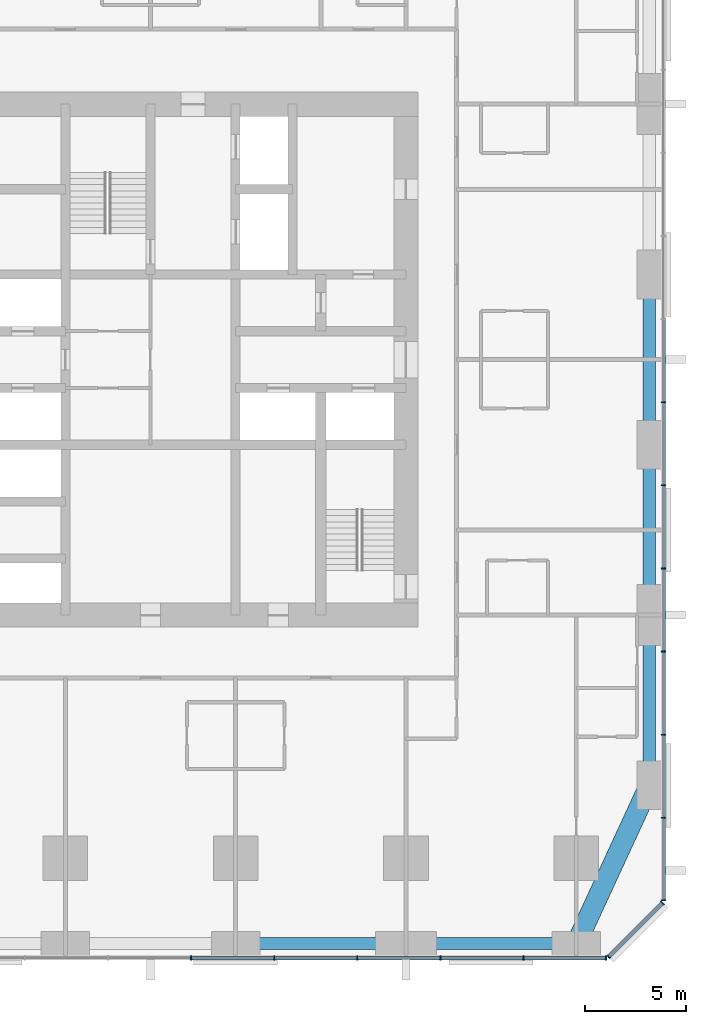
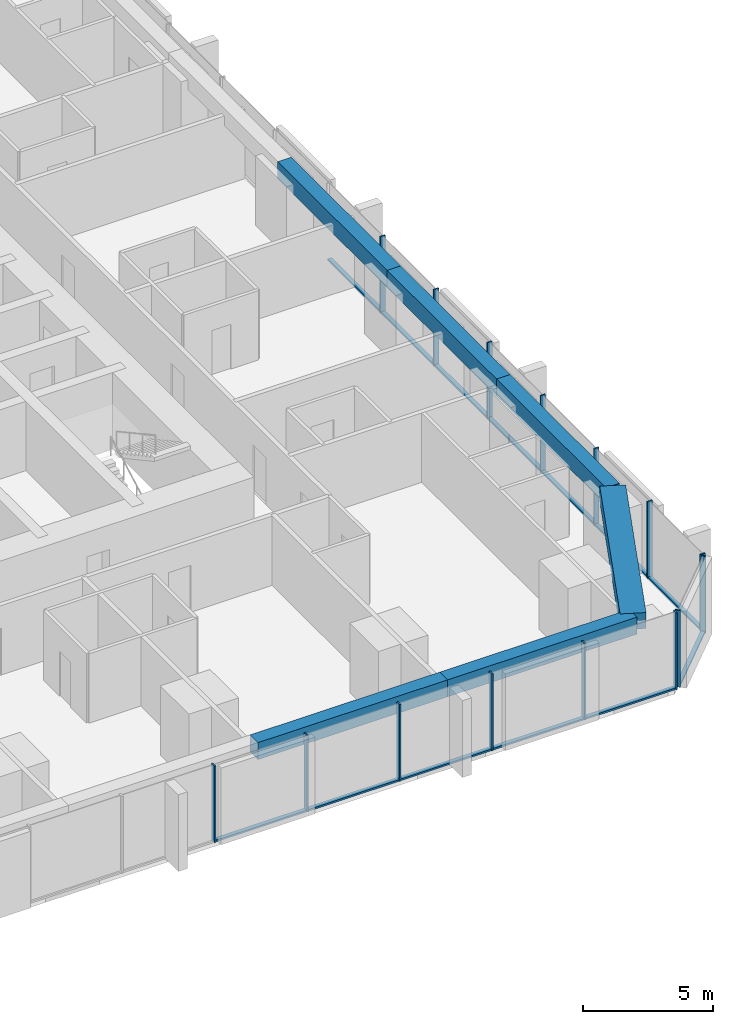
# One storey, part 4 of 13: 28 members, 6 beams, 3 elements without a shape of their own.
"""IFC4 building model written with IfcOpenShell, lengths in metres."""

from ifc_helpers import new_model, si_unit, direction, frame, origin, origin_2d, place, context, subcontext, project, spatial, rectangle, extrude, material, material_profile, profile_set, type_object, element, aggregate, save


model = new_model("IFC4")

# Units and contexts
model_context = context("Model", 3, precision=1e-05, world=origin(), true_north=direction((0.0, 1.0)))
body_context = subcontext(model_context, "Body", "Model", "MODEL_VIEW")
ifc_project = project(units=[si_unit("LENGTHUNIT", "METRE"), si_unit("AREAUNIT", "SQUARE_METRE"), si_unit("VOLUMEUNIT", "CUBIC_METRE"), si_unit("PLANEANGLEUNIT", "RADIAN"), si_unit("MASSUNIT", "GRAM", prefix="KILO")], contexts=[model_context])

# Site, building, storey
site_placement = place(None, origin())
site = spatial("IfcSite", under=ifc_project, at=site_placement, CompositionType="ELEMENT")
building_placement = place(site_placement, origin())
building = spatial("IfcBuilding", under=site, at=building_placement, Name="Dunama Terrace Hotel", CompositionType="ELEMENT")
storey_placement = place(building_placement, frame((0.0, 0.0, 97.199951171875)))
storey = spatial("IfcBuildingStorey", under=building, at=storey_placement, Name="L24", CompositionType="ELEMENT", Elevation=97.199951171875)

# Curtain wall, members
ifc_material_1 = material(Name="Aluminium curtain wall system", Category="aluminium")
curtain_wall_type = type_object("IfcCurtainWallType", Name="Unitised fritted glass wall CW-B", PredefinedType="NOTDEFINED", material=ifc_material_1)
curtain_wall_1_placement = place(storey_placement, origin())
curtain_wall_1 = element("IfcCurtainWall", 1, at=curtain_wall_1_placement, inside=storey, type_object=curtain_wall_type, Name="Unitised fritted glass wall CW-B L24", PredefinedType="NOTDEFINED")
ifc_material_2 = material(Name="Aluminium mullion", Category="aluminium")
ifc_material_profile_1 = material_profile(ifc_material_2, rectangle(XDim=0.06494140625, YDim=0.219970703125, at=origin_2d()), Name="CWB MULLION 65X220")
ifc_profile_set_1 = profile_set([ifc_material_profile_1], Name="Aluminium mullion")
member_type_1 = type_object("IfcMemberType", Name="CWB mullion 65x220", PredefinedType="MULLION", material=ifc_profile_set_1)
member_1_placement = place(storey_placement, frame((31.39990234375, -0.110107421875, 0.0), z_axis=(0.0, 0.0, 1.0), x_axis=(1.0, 0.0, 0.0)))
member_1 = element("IfcMember", 2, at=member_1_placement, type_object=member_type_1, Name="CWB mullion", PredefinedType="MULLION", context=body_context, shape_type="SweptSolid", body=[
    extrude(rectangle(XDim=0.06494140625, YDim=0.219970703125, at=origin_2d()), origin(), (0.0, 0.0, 1.0), 3.60009765625),
])
member_2_placement = place(storey_placement, frame((35.5, -0.110107421875, 0.0), z_axis=(0.0, 0.0, 1.0), x_axis=(1.0, 0.0, 0.0)))
member_2 = element("IfcMember", 3, at=member_2_placement, type_object=member_type_1, Name="CWB mullion", PredefinedType="MULLION", context=body_context, shape_type="SweptSolid", body=[
    extrude(rectangle(XDim=0.06494140625, YDim=0.219970703125, at=origin_2d()), origin(), (0.0, 0.0, 1.0), 3.60009765625),
])
member_3_placement = place(storey_placement, frame((39.60009765625, -0.110107421875, 0.0), z_axis=(0.0, 0.0, 1.0), x_axis=(1.0, 0.0, 0.0)))
member_3 = element("IfcMember", 4, at=member_3_placement, type_object=member_type_1, Name="CWB mullion", PredefinedType="MULLION", context=body_context, shape_type="SweptSolid", body=[
    extrude(rectangle(XDim=0.06494140625, YDim=0.219970703125, at=origin_2d()), origin(), (0.0, 0.0, 1.0), 3.60009765625),
])
member_4_placement = place(storey_placement, frame((43.699951171875, -0.110107421875, 0.0), z_axis=(0.0, 0.0, 1.0), x_axis=(1.0, 0.0, 0.0)))
member_4 = element("IfcMember", 5, at=member_4_placement, type_object=member_type_1, Name="CWB mullion", PredefinedType="MULLION", context=body_context, shape_type="SweptSolid", body=[
    extrude(rectangle(XDim=0.06494140625, YDim=0.219970703125, at=origin_2d()), origin(), (0.0, 0.0, 1.0), 3.60009765625),
])
member_5_placement = place(storey_placement, frame((47.800048828125, -0.110107421875, 0.0), z_axis=(0.0, 0.0, 1.0), x_axis=(1.0, 0.0, 0.0)))
member_5 = element("IfcMember", 6, at=member_5_placement, type_object=member_type_1, Name="CWB mullion", PredefinedType="MULLION", context=body_context, shape_type="SweptSolid", body=[
    extrude(rectangle(XDim=0.06494140625, YDim=0.219970703125, at=origin_2d()), origin(), (0.0, 0.0, 1.0), 3.60009765625),
])
member_6_placement = place(storey_placement, frame((51.866943359375, -0.110107421875, 0.0), z_axis=(0.0, 0.0, 1.0), x_axis=(1.0, 0.0, 0.0)))
member_6 = element("IfcMember", 7, at=member_6_placement, type_object=member_type_1, Name="CWB mullion", PredefinedType="MULLION", context=body_context, shape_type="SweptSolid", body=[
    extrude(rectangle(XDim=0.06494140625, YDim=0.219970703125, at=origin_2d()), origin(), (0.0, 0.0, 1.0), 3.60009765625),
])

curtain_wall_2_placement = place(storey_placement, origin())
curtain_wall_2 = element("IfcCurtainWall", 8, at=curtain_wall_2_placement, inside=storey, type_object=curtain_wall_type, Name="Unitised fritted glass wall CW-B L24", PredefinedType="NOTDEFINED")
member_7_placement = place(storey_placement, frame((52.0009765625, -0.054931640625, 0.0), z_axis=(0.0, 0.0, 1.0), x_axis=(0.707106781187, 0.707106781187, 0.0)))
member_7 = element("IfcMember", 9, at=member_7_placement, type_object=member_type_1, Name="CWB mullion", PredefinedType="MULLION", context=body_context, shape_type="SweptSolid", body=[
    extrude(rectangle(XDim=0.06494140625, YDim=0.219970703125, at=origin_2d()), origin(), (0.0, 0.0, 1.0), 3.60009765625),
])
member_8_placement = place(storey_placement, frame((54.655029296875, 2.59912109375, 0.0), z_axis=(0.0, 0.0, 1.0), x_axis=(0.707106781187, 0.707106781187, 0.0)))
member_8 = element("IfcMember", 10, at=member_8_placement, type_object=member_type_1, Name="CWB mullion", PredefinedType="MULLION", context=body_context, shape_type="SweptSolid", body=[
    extrude(rectangle(XDim=0.06494140625, YDim=0.219970703125, at=origin_2d()), origin(), (0.0, 0.0, 1.0), 3.60009765625),
])

curtain_wall_3_placement = place(storey_placement, origin())
curtain_wall_3 = element("IfcCurtainWall", 11, at=curtain_wall_3_placement, inside=storey, type_object=curtain_wall_type, Name="Unitised fritted glass wall CW-B L24", PredefinedType="NOTDEFINED")
member_9_placement = place(storey_placement, frame((54.7099609375, 2.73291015625, 0.0), z_axis=(0.0, 0.0, 1.0), x_axis=(0.0, 1.0, 0.0)))
member_9 = element("IfcMember", 12, at=member_9_placement, type_object=member_type_1, Name="CWB mullion", PredefinedType="MULLION", context=body_context, shape_type="SweptSolid", body=[
    extrude(rectangle(XDim=0.06494140625, YDim=0.219970703125, at=origin_2d()), origin(), (0.0, 0.0, 1.0), 3.60009765625),
])
member_10_placement = place(storey_placement, frame((54.7099609375, 6.800048828125, 0.0), z_axis=(0.0, 0.0, 1.0), x_axis=(0.0, 1.0, 0.0)))
member_10 = element("IfcMember", 13, at=member_10_placement, type_object=member_type_1, Name="CWB mullion", PredefinedType="MULLION", context=body_context, shape_type="SweptSolid", body=[
    extrude(rectangle(XDim=0.06494140625, YDim=0.219970703125, at=origin_2d()), origin(), (0.0, 0.0, 1.0), 3.60009765625),
])
member_11_placement = place(storey_placement, frame((54.7099609375, 10.89990234375, 0.0), z_axis=(0.0, 0.0, 1.0), x_axis=(0.0, 1.0, 0.0)))
member_11 = element("IfcMember", 14, at=member_11_placement, type_object=member_type_1, Name="CWB mullion", PredefinedType="MULLION", context=body_context, shape_type="SweptSolid", body=[
    extrude(rectangle(XDim=0.06494140625, YDim=0.219970703125, at=origin_2d()), origin(), (0.0, 0.0, 1.0), 3.60009765625),
])
member_12_placement = place(storey_placement, frame((54.7099609375, 15.0, 0.0), z_axis=(0.0, 0.0, 1.0), x_axis=(0.0, 1.0, 0.0)))
member_12 = element("IfcMember", 15, at=member_12_placement, type_object=member_type_1, Name="CWB mullion", PredefinedType="MULLION", context=body_context, shape_type="SweptSolid", body=[
    extrude(rectangle(XDim=0.06494140625, YDim=0.219970703125, at=origin_2d()), origin(), (0.0, 0.0, 1.0), 3.60009765625),
])
member_13_placement = place(storey_placement, frame((54.7099609375, 19.10009765625, 0.0), z_axis=(0.0, 0.0, 1.0), x_axis=(0.0, 1.0, 0.0)))
member_13 = element("IfcMember", 16, at=member_13_placement, type_object=member_type_1, Name="CWB mullion", PredefinedType="MULLION", context=body_context, shape_type="SweptSolid", body=[
    extrude(rectangle(XDim=0.06494140625, YDim=0.219970703125, at=origin_2d()), origin(), (0.0, 0.0, 1.0), 3.60009765625),
])
member_14_placement = place(storey_placement, frame((54.7099609375, 23.199951171875, 0.0), z_axis=(0.0, 0.0, 1.0), x_axis=(0.0, 1.0, 0.0)))
member_14 = element("IfcMember", 17, at=member_14_placement, type_object=member_type_1, Name="CWB mullion", PredefinedType="MULLION", context=body_context, shape_type="SweptSolid", body=[
    extrude(rectangle(XDim=0.06494140625, YDim=0.219970703125, at=origin_2d()), origin(), (0.0, 0.0, 1.0), 3.60009765625),
])
member_15_placement = place(storey_placement, frame((54.7099609375, 27.300048828125, 0.0), z_axis=(0.0, 0.0, 1.0), x_axis=(0.0, 1.0, 0.0)))
member_15 = element("IfcMember", 18, at=member_15_placement, type_object=member_type_1, Name="CWB mullion", PredefinedType="MULLION", context=body_context, shape_type="SweptSolid", body=[
    extrude(rectangle(XDim=0.06494140625, YDim=0.219970703125, at=origin_2d()), origin(), (0.0, 0.0, 1.0), 3.60009765625),
])

# Member
ifc_material_3 = material(Name="Aluminium transom", Category="aluminium")
ifc_material_profile_2 = material_profile(ifc_material_3, rectangle(XDim=0.179931640625, YDim=0.080078125, at=origin_2d()), Name="CWB TRANSOM 180X80")
ifc_profile_set_2 = profile_set([ifc_material_profile_2], Name="Aluminium transom")
member_type_2 = type_object("IfcMemberType", Name="CWB transom 180x80", PredefinedType="USERDEFINED", material=ifc_profile_set_2)
member_16_placement = place(storey_placement, frame((31.431884765625, -0.110107421875, 0.0400390625), z_axis=(1.0, 0.0, 0.0), x_axis=(0.0, 1.0, 0.0)))
member_16 = element("IfcMember", 19, at=member_16_placement, type_object=member_type_2, Name="CWB transom", ObjectType="TRANSOM", PredefinedType="USERDEFINED", context=body_context, shape_type="SweptSolid", body=[
    extrude(rectangle(XDim=0.179931640625, YDim=0.080078125, at=origin_2d()), origin(), (0.0, 0.0, 1.0), 4.0361328125),
])

member_17_placement = place(storey_placement, frame((35.531982421875, -0.110107421875, 0.0400390625), z_axis=(1.0, 0.0, 0.0), x_axis=(0.0, 1.0, 0.0)))
member_17 = element("IfcMember", 20, at=member_17_placement, type_object=member_type_2, Name="CWB transom", ObjectType="TRANSOM", PredefinedType="USERDEFINED", context=body_context, shape_type="SweptSolid", body=[
    extrude(rectangle(XDim=0.179931640625, YDim=0.080078125, at=origin_2d()), origin(), (0.0, 0.0, 1.0), 4.0361328125),
])

member_18_placement = place(storey_placement, frame((39.633056640625, -0.110107421875, 0.0400390625), z_axis=(1.0, 0.0, 0.0), x_axis=(0.0, 1.0, 0.0)))
member_18 = element("IfcMember", 21, at=member_18_placement, type_object=member_type_2, Name="CWB transom", ObjectType="TRANSOM", PredefinedType="USERDEFINED", context=body_context, shape_type="SweptSolid", body=[
    extrude(rectangle(XDim=0.179931640625, YDim=0.080078125, at=origin_2d()), origin(), (0.0, 0.0, 1.0), 4.034912109375),
])

member_19_placement = place(storey_placement, frame((43.73291015625, -0.110107421875, 0.0400390625), z_axis=(1.0, 0.0, 0.0), x_axis=(0.0, 1.0, 0.0)))
member_19 = element("IfcMember", 22, at=member_19_placement, type_object=member_type_2, Name="CWB transom", ObjectType="TRANSOM", PredefinedType="USERDEFINED", context=body_context, shape_type="SweptSolid", body=[
    extrude(rectangle(XDim=0.179931640625, YDim=0.080078125, at=origin_2d()), origin(), (0.0, 0.0, 1.0), 4.0341796875),
])

member_20_placement = place(storey_placement, frame((47.83203125, -0.110107421875, 0.0400390625), z_axis=(1.0, 0.0, 0.0), x_axis=(0.0, 1.0, 0.0)))
member_20 = element("IfcMember", 23, at=member_20_placement, type_object=member_type_2, Name="CWB transom", ObjectType="TRANSOM", PredefinedType="USERDEFINED", context=body_context, shape_type="SweptSolid", body=[
    extrude(rectangle(XDim=0.179931640625, YDim=0.080078125, at=origin_2d()), origin(), (0.0, 0.0, 1.0), 4.0029296875),
])

aggregate(curtain_wall_1, [member_1, member_2, member_3, member_4, member_5, member_6, member_16, member_17, member_18, member_19, member_20])

member_21_placement = place(storey_placement, frame((52.02392578125, -0.031982421875, 0.0400390625), z_axis=(0.707139876915, 0.707073683909, 0.0), x_axis=(-0.707073683909, 0.707139876915, 0.0)))
member_21 = element("IfcMember", 24, at=member_21_placement, type_object=member_type_2, Name="CWB transom", ObjectType="TRANSOM", PredefinedType="USERDEFINED", context=body_context, shape_type="SweptSolid", body=[
    extrude(rectangle(XDim=0.179931640625, YDim=0.080078125, at=origin_2d()), origin(), (0.0, 0.0, 1.0), 3.688232421875),
])

aggregate(curtain_wall_2, [member_7, member_8, member_21])

member_22_placement = place(storey_placement, frame((54.7099609375, 2.764892578125, 0.0400390625), z_axis=(0.0, 1.0, 0.0), x_axis=(-1.0, 0.0, 0.0)))
member_22 = element("IfcMember", 25, at=member_22_placement, type_object=member_type_2, Name="CWB transom", ObjectType="TRANSOM", PredefinedType="USERDEFINED", context=body_context, shape_type="SweptSolid", body=[
    extrude(rectangle(XDim=0.179931640625, YDim=0.080078125, at=origin_2d()), origin(), (0.0, 0.0, 1.0), 4.003173828125),
])

member_23_placement = place(storey_placement, frame((54.7099609375, 6.83203125, 0.0400390625), z_axis=(0.0, 1.0, 0.0), x_axis=(-1.0, 0.0, 0.0)))
member_23 = element("IfcMember", 26, at=member_23_placement, type_object=member_type_2, Name="CWB transom", ObjectType="TRANSOM", PredefinedType="USERDEFINED", context=body_context, shape_type="SweptSolid", body=[
    extrude(rectangle(XDim=0.179931640625, YDim=0.080078125, at=origin_2d()), origin(), (0.0, 0.0, 1.0), 4.034912109375),
])

member_24_placement = place(storey_placement, frame((54.7099609375, 10.93310546875, 0.0400390625), z_axis=(0.0, 1.0, 0.0), x_axis=(-1.0, 0.0, 0.0)))
member_24 = element("IfcMember", 27, at=member_24_placement, type_object=member_type_2, Name="CWB transom", ObjectType="TRANSOM", PredefinedType="USERDEFINED", context=body_context, shape_type="SweptSolid", body=[
    extrude(rectangle(XDim=0.179931640625, YDim=0.080078125, at=origin_2d()), origin(), (0.0, 0.0, 1.0), 4.033935546875),
])

member_25_placement = place(storey_placement, frame((54.7099609375, 15.031982421875, 0.0400390625), z_axis=(0.0, 1.0, 0.0), x_axis=(-1.0, 0.0, 0.0)))
member_25 = element("IfcMember", 28, at=member_25_placement, type_object=member_type_2, Name="CWB transom", ObjectType="TRANSOM", PredefinedType="USERDEFINED", context=body_context, shape_type="SweptSolid", body=[
    extrude(rectangle(XDim=0.179931640625, YDim=0.080078125, at=origin_2d()), origin(), (0.0, 0.0, 1.0), 4.034912109375),
])

member_26_placement = place(storey_placement, frame((54.7099609375, 19.132080078125, 0.0400390625), z_axis=(0.0, 1.0, 0.0), x_axis=(-1.0, 0.0, 0.0)))
member_26 = element("IfcMember", 29, at=member_26_placement, type_object=member_type_2, Name="CWB transom", ObjectType="TRANSOM", PredefinedType="USERDEFINED", context=body_context, shape_type="SweptSolid", body=[
    extrude(rectangle(XDim=0.179931640625, YDim=0.080078125, at=origin_2d()), origin(), (0.0, 0.0, 1.0), 4.035888671875),
])

member_27_placement = place(storey_placement, frame((54.7099609375, 23.23193359375, 0.0400390625), z_axis=(0.0, 1.0, 0.0), x_axis=(-1.0, 0.0, 0.0)))
member_27 = element("IfcMember", 30, at=member_27_placement, type_object=member_type_2, Name="CWB transom", ObjectType="TRANSOM", PredefinedType="USERDEFINED", context=body_context, shape_type="SweptSolid", body=[
    extrude(rectangle(XDim=0.179931640625, YDim=0.080078125, at=origin_2d()), origin(), (0.0, 0.0, 1.0), 4.03515625),
])

member_28_placement = place(storey_placement, frame((54.7099609375, 27.33203125, 0.0400390625), z_axis=(0.0, 1.0, 0.0), x_axis=(-1.0, 0.0, 0.0)))
member_28 = element("IfcMember", 31, at=member_28_placement, type_object=member_type_2, Name="CWB transom", ObjectType="TRANSOM", PredefinedType="USERDEFINED", context=body_context, shape_type="SweptSolid", body=[
    extrude(rectangle(XDim=0.179931640625, YDim=0.080078125, at=origin_2d()), origin(), (0.0, 0.0, 1.0), 4.034912109375),
])

aggregate(curtain_wall_3, [member_9, member_10, member_11, member_12, member_13, member_14, member_15, member_22, member_23, member_24, member_25, member_26, member_27, member_28])

# Beams
ifc_material_4 = material(Name="Concrete C50/60", Category="concrete")
ifc_material_profile_3 = material_profile(ifc_material_4, rectangle(XDim=1.0, YDim=0.75, at=origin_2d()), Name="RC 1000x750")
ifc_profile_set_3 = profile_set([ifc_material_profile_3], Name="Concrete C50/60")
beam_type_1 = type_object("IfcBeamType", Name="Edge beam RC 1000x750", PredefinedType="SPANDREL", material=ifc_profile_set_3)
beam_1_placement = place(storey_placement, frame((50.39990234375, 0.60009765625, 3.22509765625), z_axis=(0.419076199598, 0.907951066374, 0.0), x_axis=(-0.907951066374, 0.419076199598, 0.0)))
element("IfcBeam", 32, at=beam_1_placement, inside=storey, type_object=beam_type_1, Name="Corner edge beam under L25", PredefinedType="SPANDREL", context=body_context, shape_type="SweptSolid", body=[
    extrude(rectangle(XDim=1.0, YDim=0.75, at=origin_2d()), origin(), (0.0, 0.0, 1.0), 8.590576171875),
])
ifc_material_5 = material(Name="Concrete C40/50", Category="concrete")
ifc_material_profile_4 = material_profile(ifc_material_5, rectangle(XDim=0.60009765625, YDim=0.800048828125, at=origin_2d()), Name="RC 600x800")
ifc_profile_set_4 = profile_set([ifc_material_profile_4], Name="Concrete C40/50")
beam_type_2 = type_object("IfcBeamType", Name="Edge beam RC 600x800", PredefinedType="SPANDREL", material=ifc_profile_set_4)
beam_2_placement = place(storey_placement, frame((54.0, 8.39990234375, 3.199951171875), z_axis=(0.0, 1.0, 0.0), x_axis=(-1.0, 0.0, 0.0)))
element("IfcBeam", 33, at=beam_2_placement, inside=storey, type_object=beam_type_2, Name="Edge beam under L25", PredefinedType="SPANDREL", context=body_context, shape_type="SweptSolid", body=[
    extrude(rectangle(XDim=0.60009765625, YDim=0.800048828125, at=origin_2d()), origin(), (0.0, 0.0, 1.0), 8.400146484375),
])
beam_3_placement = place(storey_placement, frame((54.0, 16.800048828125, 3.199951171875), z_axis=(0.0, 1.0, 0.0), x_axis=(-1.0, 0.0, 0.0)))
element("IfcBeam", 34, at=beam_3_placement, inside=storey, type_object=beam_type_2, Name="Edge beam under L25", PredefinedType="SPANDREL", context=body_context, shape_type="SweptSolid", body=[
    extrude(rectangle(XDim=0.60009765625, YDim=0.800048828125, at=origin_2d()), origin(), (0.0, 0.0, 1.0), 8.39990234375),
])
beam_4_placement = place(storey_placement, frame((54.0, 25.199951171875, 3.199951171875), z_axis=(0.0, 1.0, 0.0), x_axis=(-1.0, 0.0, 0.0)))
element("IfcBeam", 35, at=beam_4_placement, inside=storey, type_object=beam_type_2, Name="Edge beam under L25", PredefinedType="SPANDREL", context=body_context, shape_type="SweptSolid", body=[
    extrude(rectangle(XDim=0.60009765625, YDim=0.800048828125, at=origin_2d()), origin(), (0.0, 0.0, 1.0), 8.400146484375),
])
for number, where, z_axis, x_axis, name in (
    (36, (33.60009765625, 0.60009765625, 3.199951171875), (1.0, 0.0, 0.0), (0.0, 1.0, 0.0), "Edge beam under L25"),
    (37, (42.0, 0.60009765625, 3.199951171875), (1.0, 0.0, 0.0), (0.0, 1.0, 0.0), "Edge beam under L25"),
):
    element("IfcBeam", number, at=place(storey_placement, frame(where, z_axis=z_axis, x_axis=x_axis)), inside=storey, type_object=beam_type_2, Name=name, PredefinedType="SPANDREL", context=body_context, shape_type="SweptSolid", body=[
        extrude(rectangle(XDim=0.60009765625, YDim=0.800048828125, at=origin_2d()), origin(), (0.0, 0.0, 1.0), 8.39990234375),
    ])

save(model, "model.ifc")
